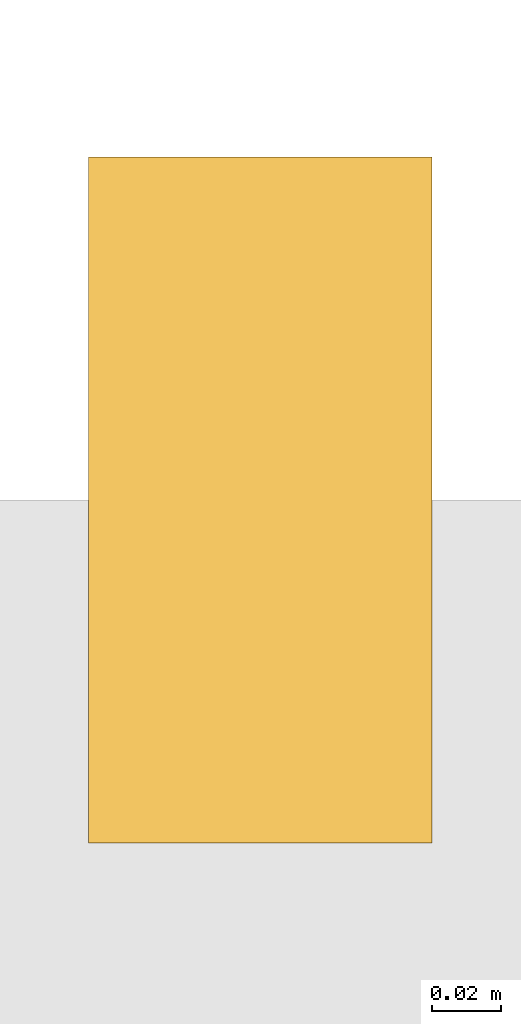
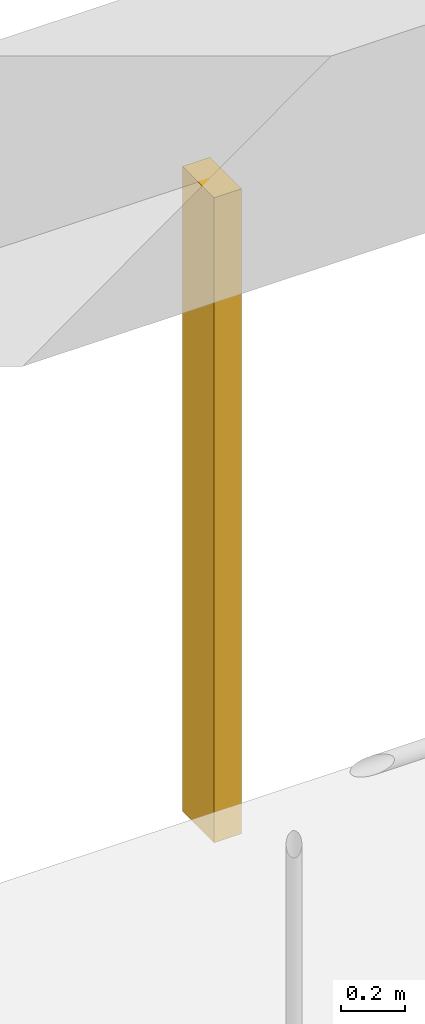
# One storey, part 15 of 21: 1 shading device.
"""IFC4 building model written with IfcOpenShell, lengths in metres."""

from ifc_helpers import new_model, si_unit, direction, frame, origin, origin_2d, place, context, subcontext, project, spatial, rectangle, extrude, material, material_profile, profile_set, type_object, element, save


model = new_model("IFC4")

# Units and contexts
model_context = context("Model", 3, precision=1e-05, world=origin(), true_north=direction((0.0, 1.0)))
body_context = subcontext(model_context, "Body", "Model", "MODEL_VIEW")
ifc_project = project(units=[si_unit("LENGTHUNIT", "METRE"), si_unit("AREAUNIT", "SQUARE_METRE"), si_unit("VOLUMEUNIT", "CUBIC_METRE"), si_unit("PLANEANGLEUNIT", "RADIAN"), si_unit("MASSUNIT", "GRAM", prefix="KILO")], contexts=[model_context])

# Site, building, storey
site_placement = place(None, origin())
site = spatial("IfcSite", under=ifc_project, at=site_placement, CompositionType="ELEMENT")
building_placement = place(site_placement, origin())
building = spatial("IfcBuilding", under=site, at=building_placement, Name="Vermilion Gate Residences", CompositionType="ELEMENT")
storey_placement = place(building_placement, frame((0.0, 0.0, 70.699951171875)))
storey = spatial("IfcBuildingStorey", under=building, at=storey_placement, Name="L17", CompositionType="ELEMENT", Elevation=70.699951171875)

# Shading device
ifc_material = material(Name="Extruded terracotta", Category="masonry")
ifc_material_profile = material_profile(ifc_material, rectangle(XDim=0.199951171875, YDim=0.10009765625, at=origin_2d()), Name="BAGUETTE 100 X 200")
ifc_profile_set = profile_set([ifc_material_profile], Name="Extruded terracotta")
shading_device_type = type_object("IfcShadingDeviceType", Name="TERRACOTTA BAGUETTE 100 X 200", PredefinedType="JALOUSIE", material=ifc_profile_set)
shading_device_placement = place(storey_placement, frame((63.0, 25.5, -0.280029296875), z_axis=(0.0, 0.0, 1.0), x_axis=(0.0, -1.0, 0.0)))
element("IfcShadingDevice", 1, at=shading_device_placement, inside=storey, type_object=shading_device_type, Name="BAGUETTE", PredefinedType="JALOUSIE", context=body_context, shape_type="SweptSolid", body=[
    extrude(rectangle(XDim=0.199951171875, YDim=0.10009765625, at=origin_2d()), origin(), (0.0, 0.0, 1.0), 2.47998046875),
])

save(model, "model.ifc")
